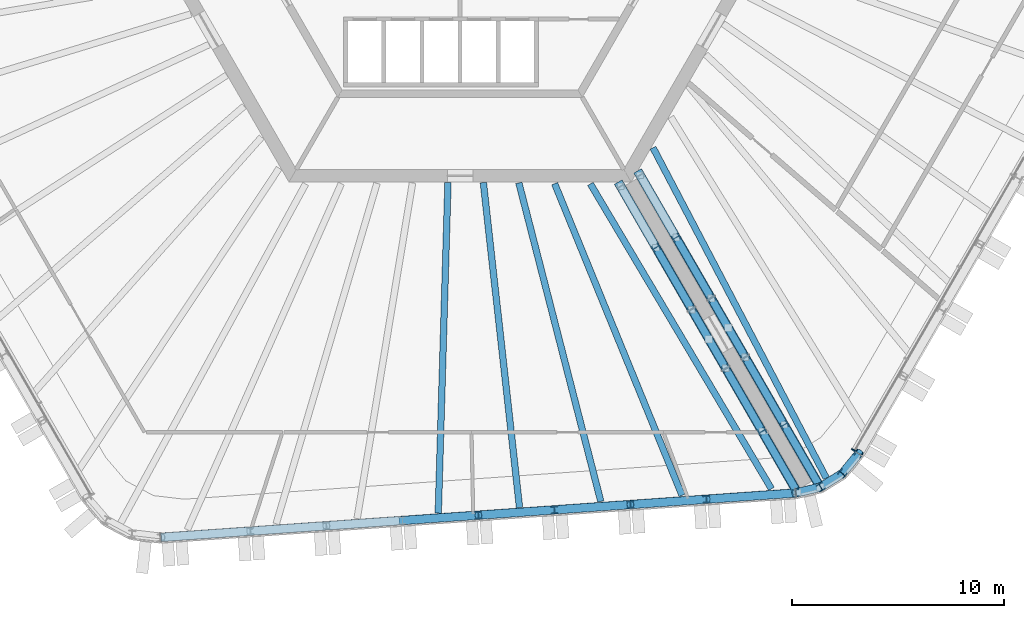
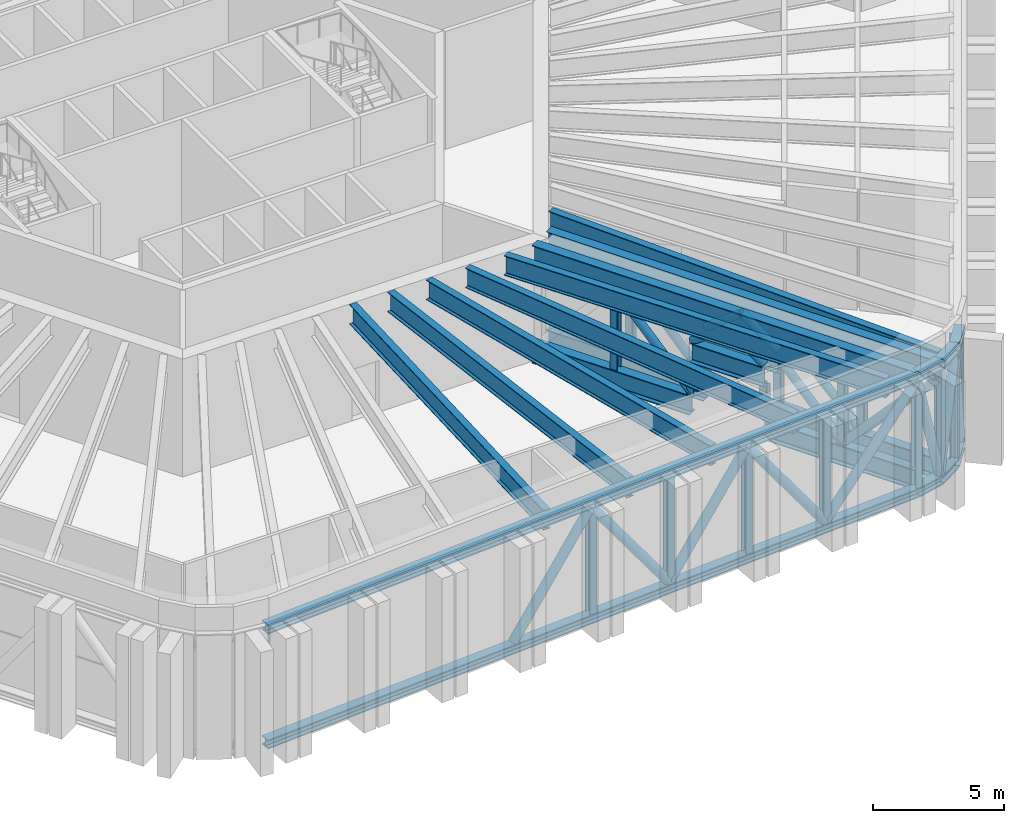
# One storey, part 4 of 27: 51 members, 6 beams, 1 element without a shape of its own.
"""IFC4 building model written with IfcOpenShell, lengths in metres."""

from ifc_helpers import new_model, si_unit, direction, frame, origin, origin_2d, place, context, subcontext, project, spatial, rectangle, hollow_circle, i_section, extrude, material, material_profile, profile_set, type_object, element, aggregate, save


model = new_model("IFC4")

# Units and contexts
model_context = context("Model", 3, precision=1e-05, world=origin(), true_north=direction((0.0, 1.0)))
body_context = subcontext(model_context, "Body", "Model", "MODEL_VIEW")
ifc_project = project(units=[si_unit("LENGTHUNIT", "METRE"), si_unit("AREAUNIT", "SQUARE_METRE"), si_unit("VOLUMEUNIT", "CUBIC_METRE"), si_unit("PLANEANGLEUNIT", "RADIAN"), si_unit("MASSUNIT", "GRAM", prefix="KILO")], contexts=[model_context])

# Site, building, storey
site_placement = place(None, origin())
site = spatial("IfcSite", under=ifc_project, at=site_placement, CompositionType="ELEMENT")
building_placement = place(site_placement, origin())
building = spatial("IfcBuilding", under=site, at=building_placement, Name="Tarnside Tower", CompositionType="ELEMENT")
storey_placement = place(building_placement, frame((0.0, 0.0, 146.699951171875)))
storey = spatial("IfcBuildingStorey", under=building, at=storey_placement, Name="L34", CompositionType="ELEMENT", Elevation=146.699951171875)

# Beams
ifc_material_1 = material(Name="Steel S355", Category="steel")
ifc_material_profile_1 = material_profile(ifc_material_1, i_section(OverallWidth=0.3076171875, OverallDepth=0.926513671875, WebThickness=0.01953125, FlangeThickness=0.031982421875, FilletRadius=0.01904296875, at=origin_2d()), Name="UB 914x305x289")
ifc_profile_set_1 = profile_set([ifc_material_profile_1], Name="Steel S355")
beam_type = type_object("IfcBeamType", Name="Floor beam UB 914x305x289", PredefinedType="BEAM", material=ifc_profile_set_1)
beam_1_placement = place(storey_placement, frame((-1.029052734375, -29.64306640625, 5.036865234375), z_axis=(0.029319181748, 0.999570100384, 0.0), x_axis=(-0.999570100384, 0.029319181748, 0.0)))
element("IfcBeam", 1, at=beam_1_placement, inside=storey, type_object=beam_type, Name="Floor beam F4.04", PredefinedType="BEAM", context=body_context, shape_type="SweptSolid", body=[
    extrude(i_section(OverallWidth=0.3076171875, OverallDepth=0.926513671875, WebThickness=0.01953125, FlangeThickness=0.031982421875, FilletRadius=0.01904296875, at=origin_2d()), origin(), (0.0, 0.0, 1.0), 15.6298828125),
])
beam_2_placement = place(storey_placement, frame((2.810791015625, -29.37451171875, 5.036865234375), z_axis=(-0.110650062308, 0.993859428547, 0.0), x_axis=(-0.993859428547, -0.110650062308, 0.0)))
element("IfcBeam", 2, at=beam_2_placement, inside=storey, type_object=beam_type, Name="Floor beam F4.05", PredefinedType="BEAM", context=body_context, shape_type="SweptSolid", body=[
    extrude(i_section(OverallWidth=0.3076171875, OverallDepth=0.926513671875, WebThickness=0.01953125, FlangeThickness=0.031982421875, FilletRadius=0.01904296875, at=origin_2d()), origin(), (0.0, 0.0, 1.0), 15.449462890625),
])
beam_3_placement = place(storey_placement, frame((6.650146484375, -29.08642578125, 5.036865234375), z_axis=(-0.24915894463, 0.968462606563, 0.0), x_axis=(-0.968462606563, -0.24915894463, 0.0)))
element("IfcBeam", 3, at=beam_3_placement, inside=storey, type_object=beam_type, Name="Floor beam F4.06", PredefinedType="BEAM", context=body_context, shape_type="SweptSolid", body=[
    extrude(i_section(OverallWidth=0.3076171875, OverallDepth=0.926513671875, WebThickness=0.01953125, FlangeThickness=0.031982421875, FilletRadius=0.01904296875, at=origin_2d()), origin(), (0.0, 0.0, 1.0), 15.53759765625),
])
beam_4_placement = place(storey_placement, frame((10.489013671875, -28.80029296875, 5.036865234375), z_axis=(-0.378428478757, 0.925630534536, 0.0), x_axis=(-0.925630534536, -0.378428478757, 0.0)))
element("IfcBeam", 4, at=beam_4_placement, inside=storey, type_object=beam_type, Name="Floor beam F4.07", PredefinedType="BEAM", context=body_context, shape_type="SweptSolid", body=[
    extrude(i_section(OverallWidth=0.3076171875, OverallDepth=0.926513671875, WebThickness=0.01953125, FlangeThickness=0.031982421875, FilletRadius=0.01904296875, at=origin_2d()), origin(), (0.0, 0.0, 1.0), 15.9091796875),
])
beam_5_placement = place(storey_placement, frame((14.711181640625, -28.490478515625, 5.036865234375), z_axis=(-0.510529662692, 0.859860141832, 0.0), x_axis=(-0.859860141832, -0.510529662692, 0.0)))
element("IfcBeam", 5, at=beam_5_placement, inside=storey, type_object=beam_type, Name="Floor beam F4.08", PredefinedType="BEAM", context=body_context, shape_type="SweptSolid", body=[
    extrude(i_section(OverallWidth=0.3076171875, OverallDepth=0.926513671875, WebThickness=0.01953125, FlangeThickness=0.031982421875, FilletRadius=0.01904296875, at=origin_2d()), origin(), (0.0, 0.0, 1.0), 16.752197265625),
])
beam_6_placement = place(storey_placement, frame((17.302001953125, -27.9794921875, 5.036865234375), z_axis=(-0.464577510555, 0.88553245942, 0.0), x_axis=(-0.88553245942, -0.464577510555, 0.0)))
element("IfcBeam", 6, at=beam_6_placement, inside=storey, type_object=beam_type, Name="Floor beam C4", PredefinedType="BEAM", context=body_context, shape_type="SweptSolid", body=[
    extrude(i_section(OverallWidth=0.3076171875, OverallDepth=0.926513671875, WebThickness=0.01953125, FlangeThickness=0.031982421875, FilletRadius=0.01904296875, at=origin_2d()), origin(), (0.0, 0.0, 1.0), 17.6181640625),
])

# Members
ifc_material_2 = material(Name="Steel S460", Category="steel")
ifc_material_profile_2 = material_profile(ifc_material_2, i_section(OverallWidth=0.42041015625, OverallDepth=0.9208984375, WebThickness=0.021484375, FlangeThickness=0.03662109375, FilletRadius=0.024169921875, at=origin_2d()), Name="UB 914x419x388")
ifc_profile_set_2 = profile_set([ifc_material_profile_2], Name="Steel S460")
member_type_1 = type_object("IfcMemberType", Name="Outrigger chord UB 914x419x388", PredefinedType="CHORD", material=ifc_profile_set_2)
member_1_placement = place(storey_placement, frame((8.388916015625, -13.4697265625, 5.03955078125), z_axis=(0.500005339912, -0.866022320763, 0.0), x_axis=(0.866022320763, 0.500005339912, 0.0)))
element("IfcMember", 7, at=member_1_placement, inside=storey, type_object=member_type_1, Name="Outrigger truss top chord OR3A L34", PredefinedType="CHORD", context=body_context, shape_type="SweptSolid", body=[
    extrude(i_section(OverallWidth=0.42041015625, OverallDepth=0.9208984375, WebThickness=0.021484375, FlangeThickness=0.03662109375, FilletRadius=0.024169921875, at=origin_2d()), origin(), (0.0, 0.0, 1.0), 17.257080078125),
])
member_2_placement = place(storey_placement, frame((8.388916015625, -13.4697265625, 0.46044921875), z_axis=(0.500025096756, -0.866010913681, 0.0), x_axis=(0.866010913681, 0.500025096756, 0.0)))
element("IfcMember", 8, at=member_2_placement, inside=storey, type_object=member_type_1, Name="Outrigger truss bottom chord OR3A L34", PredefinedType="CHORD", context=body_context, shape_type="SweptSolid", body=[
    extrude(i_section(OverallWidth=0.42041015625, OverallDepth=0.9208984375, WebThickness=0.021484375, FlangeThickness=0.03662109375, FilletRadius=0.024169921875, at=origin_2d()), origin(), (0.0, 0.0, 1.0), 6.959716796875),
])
member_3_placement = place(storey_placement, frame((13.469970703125, -22.27001953125, 0.46044921875), z_axis=(0.499991511581, -0.86603030452, 0.0), x_axis=(0.86603030452, 0.499991511581, 0.0)))
element("IfcMember", 9, at=member_3_placement, inside=storey, type_object=member_type_1, Name="Outrigger truss bottom chord OR3A L34", PredefinedType="CHORD", context=body_context, shape_type="SweptSolid", body=[
    extrude(i_section(OverallWidth=0.42041015625, OverallDepth=0.9208984375, WebThickness=0.021484375, FlangeThickness=0.03662109375, FilletRadius=0.024169921875, at=origin_2d()), origin(), (0.0, 0.0, 1.0), 7.09521484375),
])
member_4_placement = place(storey_placement, frame((11.868896484375, -19.496826171875, 2.91064453125), z_axis=(0.499993040581, -0.866029421769, 0.0), x_axis=(0.866029421769, 0.499993040581, 0.0)))
element("IfcMember", 10, at=member_4_placement, inside=storey, type_object=member_type_1, Name="Outrigger truss lintel OR3A L34", PredefinedType="CHORD", context=body_context, shape_type="SweptSolid", body=[
    extrude(i_section(OverallWidth=0.42041015625, OverallDepth=0.9208984375, WebThickness=0.021484375, FlangeThickness=0.03662109375, FilletRadius=0.024169921875, at=origin_2d()), origin(), (0.0, 0.0, 1.0), 3.2021484375),
])
member_5_placement = place(storey_placement, frame((7.470703125, -14.0, 5.03955078125), z_axis=(0.499995672751, -0.866027902108, 0.0), x_axis=(0.866027902108, 0.499995672751, 0.0)))
element("IfcMember", 11, at=member_5_placement, inside=storey, type_object=member_type_1, Name="Outrigger truss top chord OR3B L34", PredefinedType="CHORD", context=body_context, shape_type="SweptSolid", body=[
    extrude(i_section(OverallWidth=0.42041015625, OverallDepth=0.9208984375, WebThickness=0.021484375, FlangeThickness=0.03662109375, FilletRadius=0.024169921875, at=origin_2d()), origin(), (0.0, 0.0, 1.0), 16.939697265625),
])
member_6_placement = place(storey_placement, frame((7.470703125, -14.0, 0.46044921875), z_axis=(0.499998787219, -0.866026103983, 0.0), x_axis=(0.866026103983, 0.499998787219, 0.0)))
element("IfcMember", 12, at=member_6_placement, inside=storey, type_object=member_type_1, Name="Outrigger truss bottom chord OR3B L34", PredefinedType="CHORD", context=body_context, shape_type="SweptSolid", body=[
    extrude(i_section(OverallWidth=0.42041015625, OverallDepth=0.9208984375, WebThickness=0.021484375, FlangeThickness=0.03662109375, FilletRadius=0.024169921875, at=origin_2d()), origin(), (0.0, 0.0, 1.0), 6.95947265625),
])
member_7_placement = place(storey_placement, frame((12.551513671875, -22.80029296875, 0.46044921875), z_axis=(0.4999937184, -0.866029030437, 0.0), x_axis=(0.866029030437, 0.4999937184, 0.0)))
element("IfcMember", 13, at=member_7_placement, inside=storey, type_object=member_type_1, Name="Outrigger truss bottom chord OR3B L34", PredefinedType="CHORD", context=body_context, shape_type="SweptSolid", body=[
    extrude(i_section(OverallWidth=0.42041015625, OverallDepth=0.9208984375, WebThickness=0.021484375, FlangeThickness=0.03662109375, FilletRadius=0.024169921875, at=origin_2d()), origin(), (0.0, 0.0, 1.0), 6.77783203125),
])
member_8_placement = place(storey_placement, frame((10.950439453125, -20.027099609375, 2.91064453125), z_axis=(0.499993040581, -0.866029421769, 0.0), x_axis=(0.866029421769, 0.499993040581, 0.0)))
element("IfcMember", 14, at=member_8_placement, inside=storey, type_object=member_type_1, Name="Outrigger truss lintel OR3B L34", PredefinedType="CHORD", context=body_context, shape_type="SweptSolid", body=[
    extrude(i_section(OverallWidth=0.42041015625, OverallDepth=0.9208984375, WebThickness=0.021484375, FlangeThickness=0.03662109375, FilletRadius=0.024169921875, at=origin_2d()), origin(), (0.0, 0.0, 1.0), 3.2021484375),
])
ifc_material_profile_3 = material_profile(ifc_material_1, hollow_circle(Radius=0.177734375, WallThickness=0.01611328125, at=origin_2d()), Name="CHS 355.6x16")
ifc_profile_set_3 = profile_set([ifc_material_profile_3], Name="Steel S355")
member_type_2 = type_object("IfcMemberType", Name="Outrigger diagonal CHS 355.6x16", PredefinedType="BRACE", material=ifc_profile_set_3)
member_9_placement = place(storey_placement, frame((10.206787109375, -16.618408203125, 4.5791015625), z_axis=(0.33628744383, -0.58237793225, -0.74009911441), x_axis=(0.865992313895, 0.50005730899, 0.0)))
element("IfcMember", 15, at=member_9_placement, inside=storey, type_object=member_type_2, Name="Outrigger truss diagonal OR3A 2", PredefinedType="BRACE", context=body_context, shape_type="SweptSolid", body=[
    extrude(hollow_circle(Radius=0.177734375, WallThickness=0.01611328125, at=origin_2d()), origin(), (0.0, 0.0, 1.0), 4.942626953125),
])
member_10_placement = place(storey_placement, frame((11.868896484375, -19.496826171875, 3.37109375), z_axis=(0.399116202189, -0.691363229166, 0.602265010196), x_axis=(0.866048479775, 0.499960029081, 0.0)))
element("IfcMember", 16, at=member_10_placement, inside=storey, type_object=member_type_2, Name="Outrigger truss diagonal OR3A 3", PredefinedType="BRACE", context=body_context, shape_type="SweptSolid", body=[
    extrude(hollow_circle(Radius=0.177734375, WallThickness=0.01611328125, at=origin_2d()), origin(), (0.0, 0.0, 1.0), 2.005859375),
])
member_11_placement = place(storey_placement, frame((13.469970703125, -22.27001953125, 3.37109375), z_axis=(-0.399149789882, 0.691299681835, 0.602315693911), x_axis=(-0.866010359988, -0.500026055714, 0.0)))
element("IfcMember", 17, at=member_11_placement, inside=storey, type_object=member_type_2, Name="Outrigger truss diagonal OR3A 4", PredefinedType="BRACE", context=body_context, shape_type="SweptSolid", body=[
    extrude(hollow_circle(Radius=0.177734375, WallThickness=0.01611328125, at=origin_2d()), origin(), (0.0, 0.0, 1.0), 2.005615234375),
])
member_12_placement = place(storey_placement, frame((13.469970703125, -22.27001953125, 4.5791015625), z_axis=(0.355079747184, -0.615058077364, -0.704004214908), x_axis=(0.866040157966, 0.499974444137, 0.0)))
element("IfcMember", 18, at=member_12_placement, inside=storey, type_object=member_type_2, Name="Outrigger truss diagonal OR3A 5", PredefinedType="BRACE", context=body_context, shape_type="SweptSolid", body=[
    extrude(hollow_circle(Radius=0.177734375, WallThickness=0.01611328125, at=origin_2d()), origin(), (0.0, 0.0, 1.0), 5.196044921875),
])
member_13_placement = place(storey_placement, frame((15.31494140625, -25.4658203125, 0.921142578125), z_axis=(0.340690321462, -0.590077200019, 0.731941939555), x_axis=(0.866019626224, 0.500010006895, 0.0)))
element("IfcMember", 19, at=member_13_placement, inside=storey, type_object=member_type_2, Name="Outrigger truss diagonal OR3A 6", PredefinedType="BRACE", context=body_context, shape_type="SweptSolid", body=[
    extrude(hollow_circle(Radius=0.177734375, WallThickness=0.01611328125, at=origin_2d()), origin(), (0.0, 0.0, 1.0), 4.99755859375),
])
member_14_placement = place(storey_placement, frame((9.256591796875, -17.093505859375, 4.5791015625), z_axis=(0.339751089553, -0.588418721831, -0.733711527064), x_axis=(0.866007952957, 0.500030224502, 0.0)))
element("IfcMember", 20, at=member_14_placement, inside=storey, type_object=member_type_2, Name="Outrigger truss diagonal OR3B 2", PredefinedType="BRACE", context=body_context, shape_type="SweptSolid", body=[
    extrude(hollow_circle(Radius=0.177734375, WallThickness=0.01611328125, at=origin_2d()), origin(), (0.0, 0.0, 1.0), 4.985595703125),
])
member_15_placement = place(storey_placement, frame((10.950439453125, -20.027099609375, 3.37109375), z_axis=(0.399116202189, -0.691363229166, 0.602265010196), x_axis=(0.866048479775, 0.499960029081, 0.0)))
element("IfcMember", 21, at=member_15_placement, inside=storey, type_object=member_type_2, Name="Outrigger truss diagonal OR3B 3", PredefinedType="BRACE", context=body_context, shape_type="SweptSolid", body=[
    extrude(hollow_circle(Radius=0.177734375, WallThickness=0.01611328125, at=origin_2d()), origin(), (0.0, 0.0, 1.0), 2.005859375),
])
member_16_placement = place(storey_placement, frame((12.551513671875, -22.80029296875, 3.37109375), z_axis=(-0.399149789882, 0.691299681835, 0.602315693911), x_axis=(-0.866010359988, -0.500026055714, 0.0)))
element("IfcMember", 22, at=member_16_placement, inside=storey, type_object=member_type_2, Name="Outrigger truss diagonal OR3B 4", PredefinedType="BRACE", context=body_context, shape_type="SweptSolid", body=[
    extrude(hollow_circle(Radius=0.177734375, WallThickness=0.01611328125, at=origin_2d()), origin(), (0.0, 0.0, 1.0), 2.005615234375),
])
member_17_placement = place(storey_placement, frame((12.551513671875, -22.80029296875, 4.5791015625), z_axis=(0.342329952421, -0.592911391234, -0.728880158751), x_axis=(0.866017560406, 0.500013584885, 0.0)))
element("IfcMember", 23, at=member_17_placement, inside=storey, type_object=member_type_2, Name="Outrigger truss diagonal OR3B 5", PredefinedType="BRACE", context=body_context, shape_type="SweptSolid", body=[
    extrude(hollow_circle(Radius=0.177734375, WallThickness=0.01611328125, at=origin_2d()), origin(), (0.0, 0.0, 1.0), 5.0185546875),
])
member_18_placement = place(storey_placement, frame((14.26953125, -25.77587890625, 0.921142578125), z_axis=(0.337232211908, -0.584144925799, 0.738274434689), x_axis=(0.866040822497, 0.499973293055, 0.0)))
element("IfcMember", 24, at=member_18_placement, inside=storey, type_object=member_type_2, Name="Outrigger truss diagonal OR3B 6", PredefinedType="BRACE", context=body_context, shape_type="SweptSolid", body=[
    extrude(hollow_circle(Radius=0.177734375, WallThickness=0.01611328125, at=origin_2d()), origin(), (0.0, 0.0, 1.0), 4.954833984375),
])
ifc_material_profile_4 = material_profile(ifc_material_1, i_section(OverallWidth=0.314453125, OverallDepth=0.33984375, WebThickness=0.01904296875, FlangeThickness=0.031494140625, FilletRadius=0.01513671875, at=origin_2d()), Name="UC 305x305x198")
ifc_profile_set_4 = profile_set([ifc_material_profile_4], Name="Steel S355")
member_type_3 = type_object("IfcMemberType", Name="Outrigger post UC 305x305x198", PredefinedType="POST", material=ifc_profile_set_4)
member_19_placement = place(storey_placement, frame((10.206787109375, -16.618408203125, 0.921142578125), z_axis=(0.0, 0.0, 1.0), x_axis=(0.5, -0.866025403784, 0.0)))
element("IfcMember", 25, at=member_19_placement, inside=storey, type_object=member_type_3, Name="Outrigger truss post OR3A 2", PredefinedType="POST", context=body_context, shape_type="SweptSolid", body=[
    extrude(i_section(OverallWidth=0.314453125, OverallDepth=0.33984375, WebThickness=0.01904296875, FlangeThickness=0.031494140625, FilletRadius=0.01513671875, at=origin_2d()), origin(), (0.0, 0.0, 1.0), 3.657958984375),
])
for number, where, z_axis, x_axis, name in (
    (26, (11.868896484375, -19.496826171875, 0.921142578125), (0.0, 0.0, 1.0), (0.5, -0.866025403784, 0.0), "Outrigger truss post OR3A 3"),
    (27, (13.469970703125, -22.27001953125, 0.921142578125), (0.0, 0.0, 1.0), (0.5, -0.866025403784, 0.0), "Outrigger truss post OR3A 4"),
):
    element("IfcMember", number, at=place(storey_placement, frame(where, z_axis=z_axis, x_axis=x_axis)), inside=storey, type_object=member_type_3, Name=name, PredefinedType="POST", context=body_context, shape_type="SweptSolid", body=[
        extrude(i_section(OverallWidth=0.314453125, OverallDepth=0.33984375, WebThickness=0.01904296875, FlangeThickness=0.031494140625, FilletRadius=0.01513671875, at=origin_2d()), origin(), (0.0, 0.0, 1.0), 1.52880859375),
    ])
for number, where, z_axis, x_axis, name in (
    (28, (15.31494140625, -25.4658203125, 0.921142578125), (0.0, 0.0, 1.0), (0.5, -0.866025403784, 0.0), "Outrigger truss post OR3A 5"),
    (29, (9.256591796875, -17.093505859375, 0.921142578125), (0.0, 0.0, 1.0), (0.5, -0.866025403784, 0.0), "Outrigger truss post OR3B 2"),
):
    element("IfcMember", number, at=place(storey_placement, frame(where, z_axis=z_axis, x_axis=x_axis)), inside=storey, type_object=member_type_3, Name=name, PredefinedType="POST", context=body_context, shape_type="SweptSolid", body=[
        extrude(i_section(OverallWidth=0.314453125, OverallDepth=0.33984375, WebThickness=0.01904296875, FlangeThickness=0.031494140625, FilletRadius=0.01513671875, at=origin_2d()), origin(), (0.0, 0.0, 1.0), 3.657958984375),
    ])
for number, where, z_axis, x_axis, name in (
    (30, (10.950439453125, -20.027099609375, 0.921142578125), (0.0, 0.0, 1.0), (0.5, -0.866025403784, 0.0), "Outrigger truss post OR3B 3"),
    (31, (12.551513671875, -22.80029296875, 0.921142578125), (0.0, 0.0, 1.0), (0.5, -0.866025403784, 0.0), "Outrigger truss post OR3B 4"),
):
    element("IfcMember", number, at=place(storey_placement, frame(where, z_axis=z_axis, x_axis=x_axis)), inside=storey, type_object=member_type_3, Name=name, PredefinedType="POST", context=body_context, shape_type="SweptSolid", body=[
        extrude(i_section(OverallWidth=0.314453125, OverallDepth=0.33984375, WebThickness=0.01904296875, FlangeThickness=0.031494140625, FilletRadius=0.01513671875, at=origin_2d()), origin(), (0.0, 0.0, 1.0), 1.52880859375),
    ])
member_20_placement = place(storey_placement, frame((14.26953125, -25.77587890625, 0.921142578125), z_axis=(0.0, 0.0, 1.0), x_axis=(0.5, -0.866025403784, 0.0)))
element("IfcMember", 32, at=member_20_placement, inside=storey, type_object=member_type_3, Name="Outrigger truss post OR3B 5", PredefinedType="POST", context=body_context, shape_type="SweptSolid", body=[
    extrude(i_section(OverallWidth=0.314453125, OverallDepth=0.33984375, WebThickness=0.01904296875, FlangeThickness=0.031494140625, FilletRadius=0.01513671875, at=origin_2d()), origin(), (0.0, 0.0, 1.0), 3.657958984375),
])

# Curtain wall, member
ifc_material_3 = material(Name="Sky lobby glazing wall", Category="glass")
curtain_wall_type = type_object("IfcCurtainWallType", Name="Sky lobby glazing wall", PredefinedType="NOTDEFINED", material=ifc_material_3)
curtain_wall_placement = place(storey_placement, origin())
curtain_wall = element("IfcCurtainWall", 33, at=curtain_wall_placement, inside=storey, type_object=curtain_wall_type, Name="Sky lobby glazing L34 F5", PredefinedType="NOTDEFINED")
ifc_material_4 = material(Name="Aluminium alloy 6063", Category="aluminium")
ifc_material_profile_5 = material_profile(ifc_material_4, rectangle(XDim=0.199951171875, YDim=0.06005859375, at=origin_2d()), Name="Sky lobby glazing mullion 60 x 200")
ifc_profile_set_5 = profile_set([ifc_material_profile_5], Name="Aluminium alloy 6063")
member_type_4 = type_object("IfcMemberType", Name="Sky lobby glazing mullion 60 x 200", PredefinedType="MULLION", material=ifc_profile_set_5)
member_21_placement = place(storey_placement, frame((18.580322265625, -26.65576171875, 0.0), z_axis=(0.0, 0.0, 1.0), x_axis=(-0.866025403793, 0.499999999985, 0.0)))
member_21 = element("IfcMember", 34, at=member_21_placement, type_object=member_type_4, Name="CW4 mullion 1", PredefinedType="MULLION", context=body_context, shape_type="SweptSolid", body=[
    extrude(rectangle(XDim=0.199951171875, YDim=0.06005859375, at=origin_2d()), origin(), (0.0, 0.0, 1.0), 5.0634765625),
])
aggregate(curtain_wall, [member_21])

# Members
ifc_material_profile_6 = material_profile(ifc_material_1, i_section(OverallWidth=0.406982421875, OverallDepth=0.4189453125, WebThickness=0.030517578125, FlangeThickness=0.04931640625, FilletRadius=0.01513671875, at=origin_2d()), Name="UC 356x406x393")
ifc_profile_set_6 = profile_set([ifc_material_profile_6], Name="Steel S355")
member_type_5 = type_object("IfcMemberType", Name="Truss chord UC 356x406x393", PredefinedType="CHORD", material=ifc_profile_set_6)
member_22_placement = place(storey_placement, frame((-14.133544921875, -30.785888671875, -0.09033203125), z_axis=(0.997564037441, 0.069756657061, 0.0), x_axis=(-0.069756657061, 0.997564037441, 0.0)))
element("IfcMember", 35, at=member_22_placement, inside=storey, type_object=member_type_5, Name="Belt truss bottom chord L34 run", PredefinedType="CHORD", context=body_context, shape_type="SweptSolid", body=[
    extrude(i_section(OverallWidth=0.406982421875, OverallDepth=0.4189453125, WebThickness=0.030517578125, FlangeThickness=0.04931640625, FilletRadius=0.01513671875, at=origin_2d()), origin(), (0.0, 0.0, 1.0), 30.071044921875),
])
member_23_placement = place(storey_placement, frame((15.8642578125, -28.688232421875, -0.09033203125), z_axis=(0.973052849661, 0.230582201758, 0.0), x_axis=(-0.230582201758, 0.973052849661, 0.0)))
element("IfcMember", 36, at=member_23_placement, inside=storey, type_object=member_type_5, Name="Belt truss bottom chord L34 corner4.1", PredefinedType="CHORD", context=body_context, shape_type="SweptSolid", body=[
    extrude(i_section(OverallWidth=0.406982421875, OverallDepth=0.4189453125, WebThickness=0.030517578125, FlangeThickness=0.04931640625, FilletRadius=0.01513671875, at=origin_2d()), origin(), (0.0, 0.0, 1.0), 1.2080078125),
])
member_24_placement = place(storey_placement, frame((17.039794921875, -28.40966796875, -0.09033203125), z_axis=(0.848066392546, 0.529889982765, 0.0), x_axis=(-0.529889982765, 0.848066392546, 0.0)))
element("IfcMember", 37, at=member_24_placement, inside=storey, type_object=member_type_5, Name="Belt truss bottom chord L34 corner4.2", PredefinedType="CHORD", context=body_context, shape_type="SweptSolid", body=[
    extrude(i_section(OverallWidth=0.406982421875, OverallDepth=0.4189453125, WebThickness=0.030517578125, FlangeThickness=0.04931640625, FilletRadius=0.01513671875, at=origin_2d()), origin(), (0.0, 0.0, 1.0), 1.20849609375),
])
member_25_placement = place(storey_placement, frame((18.064697265625, -27.769287109375, -0.09033203125), z_axis=(0.633721857241, 0.773560991555, 0.0), x_axis=(-0.773560991555, 0.633721857241, 0.0)))
element("IfcMember", 38, at=member_25_placement, inside=storey, type_object=member_type_5, Name="Belt truss bottom chord L34 corner4.3", PredefinedType="CHORD", context=body_context, shape_type="SweptSolid", body=[
    extrude(i_section(OverallWidth=0.406982421875, OverallDepth=0.4189453125, WebThickness=0.030517578125, FlangeThickness=0.04931640625, FilletRadius=0.01513671875, at=origin_2d()), origin(), (0.0, 0.0, 1.0), 1.208251953125),
])
ifc_material_profile_7 = material_profile(ifc_material_2, i_section(OverallWidth=0.412109375, OverallDepth=0.4365234375, WebThickness=0.035888671875, FlangeThickness=0.05810546875, FilletRadius=0.01513671875, at=origin_2d()), Name="UC 356x406x467")
ifc_profile_set_7 = profile_set([ifc_material_profile_7], Name="Steel S460")
member_type_6 = type_object("IfcMemberType", Name="Truss chord UC 356x406x467", PredefinedType="CHORD", material=ifc_profile_set_7)
member_26_placement = place(storey_placement, frame((-14.133544921875, -30.785888671875, 5.28173828125), z_axis=(0.997564037441, 0.069756657061, 0.0), x_axis=(-0.069756657061, 0.997564037441, 0.0)))
element("IfcMember", 39, at=member_26_placement, inside=storey, type_object=member_type_6, Name="Belt truss top chord L34 run", PredefinedType="CHORD", context=body_context, shape_type="SweptSolid", body=[
    extrude(i_section(OverallWidth=0.412109375, OverallDepth=0.4365234375, WebThickness=0.035888671875, FlangeThickness=0.05810546875, FilletRadius=0.01513671875, at=origin_2d()), origin(), (0.0, 0.0, 1.0), 30.071044921875),
])
member_27_placement = place(storey_placement, frame((15.8642578125, -28.688232421875, 5.28173828125), z_axis=(0.973052849661, 0.230582201758, 0.0), x_axis=(-0.230582201758, 0.973052849661, 0.0)))
element("IfcMember", 40, at=member_27_placement, inside=storey, type_object=member_type_6, Name="Belt truss top chord L34 corner4.1", PredefinedType="CHORD", context=body_context, shape_type="SweptSolid", body=[
    extrude(i_section(OverallWidth=0.412109375, OverallDepth=0.4365234375, WebThickness=0.035888671875, FlangeThickness=0.05810546875, FilletRadius=0.01513671875, at=origin_2d()), origin(), (0.0, 0.0, 1.0), 1.2080078125),
])
member_28_placement = place(storey_placement, frame((17.039794921875, -28.40966796875, 5.28173828125), z_axis=(0.848066392546, 0.529889982765, 0.0), x_axis=(-0.529889982765, 0.848066392546, 0.0)))
element("IfcMember", 41, at=member_28_placement, inside=storey, type_object=member_type_6, Name="Belt truss top chord L34 corner4.2", PredefinedType="CHORD", context=body_context, shape_type="SweptSolid", body=[
    extrude(i_section(OverallWidth=0.412109375, OverallDepth=0.4365234375, WebThickness=0.035888671875, FlangeThickness=0.05810546875, FilletRadius=0.01513671875, at=origin_2d()), origin(), (0.0, 0.0, 1.0), 1.20849609375),
])
member_29_placement = place(storey_placement, frame((18.064697265625, -27.769287109375, 5.28173828125), z_axis=(0.633721857241, 0.773560991555, 0.0), x_axis=(-0.773560991555, 0.633721857241, 0.0)))
element("IfcMember", 42, at=member_29_placement, inside=storey, type_object=member_type_6, Name="Belt truss top chord L34 corner4.3", PredefinedType="CHORD", context=body_context, shape_type="SweptSolid", body=[
    extrude(i_section(OverallWidth=0.412109375, OverallDepth=0.4365234375, WebThickness=0.035888671875, FlangeThickness=0.05810546875, FilletRadius=0.01513671875, at=origin_2d()), origin(), (0.0, 0.0, 1.0), 1.208251953125),
])
ifc_material_profile_8 = material_profile(ifc_material_1, hollow_circle(Radius=0.203125, WallThickness=0.01611328125, at=origin_2d()), Name="CHS 406.4x16")
ifc_profile_set_8 = profile_set([ifc_material_profile_8], Name="Steel S355")
member_type_7 = type_object("IfcMemberType", Name="Truss diagonal CHS 406.4x16", PredefinedType="BRACE", material=ifc_profile_set_8)
member_30_placement = place(storey_placement, frame((-2.725830078125, -29.98828125, 0.119140625), z_axis=(0.587186274395, 0.041075096965, 0.808409002654), x_axis=(-0.069781888421, 0.997562272767, 0.0)))
element("IfcMember", 43, at=member_30_placement, inside=storey, type_object=member_type_7, Name="Belt truss diagonal L34 37", PredefinedType="BRACE", context=body_context, shape_type="SweptSolid", body=[
    extrude(hollow_circle(Radius=0.203125, WallThickness=0.01611328125, at=origin_2d()), origin(), (0.0, 0.0, 1.0), 6.1162109375),
])
member_31_placement = place(storey_placement, frame((0.865478515625, -29.737060546875, 5.0634765625), z_axis=(0.587161081342, 0.041036208554, -0.808429275908), x_axis=(-0.069719119461, 0.997566661623, 0.0)))
element("IfcMember", 44, at=member_31_placement, inside=storey, type_object=member_type_7, Name="Belt truss diagonal L34 38", PredefinedType="BRACE", context=body_context, shape_type="SweptSolid", body=[
    extrude(hollow_circle(Radius=0.203125, WallThickness=0.01611328125, at=origin_2d()), origin(), (0.0, 0.0, 1.0), 6.115966796875),
])
member_32_placement = place(storey_placement, frame((4.45654296875, -29.486083984375, 0.119140625), z_axis=(0.587186274395, 0.041075096965, 0.808409002654), x_axis=(-0.069781888421, 0.997562272767, 0.0)))
element("IfcMember", 45, at=member_32_placement, inside=storey, type_object=member_type_7, Name="Belt truss diagonal L34 39", PredefinedType="BRACE", context=body_context, shape_type="SweptSolid", body=[
    extrude(hollow_circle(Radius=0.203125, WallThickness=0.01611328125, at=origin_2d()), origin(), (0.0, 0.0, 1.0), 6.1162109375),
])
member_33_placement = place(storey_placement, frame((8.0478515625, -29.23486328125, 5.0634765625), z_axis=(0.587160119046, 0.041076059725, -0.808427950976), x_axis=(-0.06978660948, 0.997561942506, 0.0)))
element("IfcMember", 46, at=member_33_placement, inside=storey, type_object=member_type_7, Name="Belt truss diagonal L34 40", PredefinedType="BRACE", context=body_context, shape_type="SweptSolid", body=[
    extrude(hollow_circle(Radius=0.203125, WallThickness=0.01611328125, at=origin_2d()), origin(), (0.0, 0.0, 1.0), 6.115966796875),
])
member_34_placement = place(storey_placement, frame((11.638916015625, -28.983642578125, 0.119140625), z_axis=(0.648999384413, 0.045374083038, 0.759434652633), x_axis=(-0.069743663524, 0.997564945955, 0.0)))
element("IfcMember", 47, at=member_34_placement, inside=storey, type_object=member_type_7, Name="Belt truss diagonal L34 41", PredefinedType="BRACE", context=body_context, shape_type="SweptSolid", body=[
    extrude(hollow_circle(Radius=0.203125, WallThickness=0.01611328125, at=origin_2d()), origin(), (0.0, 0.0, 1.0), 6.510498046875),
])
for number, where, z_axis, x_axis, name in (
    (48, (15.8642578125, -28.688232421875, 5.0634765625), (0.230959928476, 0.054730068202, -0.971422735514), (-0.230582201758, 0.973052849661, 0.0), "Belt truss diagonal L34 42"),
    (49, (17.039794921875, -28.40966796875, 0.119140625), (0.201360449711, 0.125814306715, 0.971403484407), (-0.529889982765, 0.848066392546, 0.0), "Belt truss diagonal L34 43"),
    (50, (18.064697265625, -27.769287109375, 5.0634765625), (0.150423404136, 0.183616323672, -0.971420529518), (-0.773560991555, 0.633721857241, 0.0), "Belt truss diagonal L34 44"),
):
    element("IfcMember", number, at=place(storey_placement, frame(where, z_axis=z_axis, x_axis=x_axis)), inside=storey, type_object=member_type_7, Name=name, PredefinedType="BRACE", context=body_context, shape_type="SweptSolid", body=[
        extrude(hollow_circle(Radius=0.203125, WallThickness=0.01611328125, at=origin_2d()), origin(), (0.0, 0.0, 1.0), 5.08984375),
    ])
ifc_material_profile_9 = material_profile(ifc_material_1, i_section(OverallWidth=0.314453125, OverallDepth=0.33984375, WebThickness=0.01904296875, FlangeThickness=0.031494140625, FilletRadius=0.01513671875, at=origin_2d()), Name="UC 305x305x198")
ifc_profile_set_9 = profile_set([ifc_material_profile_9], Name="Steel S355")
member_type_8 = type_object("IfcMemberType", Name="Truss post UC 305x305x198", PredefinedType="POST", material=ifc_profile_set_9)
for number, where, z_axis, x_axis, name in (
    (51, (0.865478515625, -29.737060546875, 0.119140625), (0.0, 0.0, 1.0), (0.99756405026, 0.069756473744, 0.0), "Belt truss post L34 38"),
    (52, (4.45654296875, -29.486083984375, 0.119140625), (0.0, 0.0, 1.0), (0.99756405026, 0.069756473744, 0.0), "Belt truss post L34 39"),
    (53, (8.0478515625, -29.23486328125, 0.119140625), (0.0, 0.0, 1.0), (0.99756405026, 0.069756473744, 0.0), "Belt truss post L34 40"),
    (54, (11.638916015625, -28.983642578125, 0.119140625), (0.0, 0.0, 1.0), (0.99756405026, 0.069756473744, 0.0), "Belt truss post L34 41"),
    (55, (15.8642578125, -28.688232421875, 0.119140625), (0.0, 0.0, 1.0), (0.99756405026, 0.069756473744, 0.0), "Belt truss post L34 42"),
    (56, (17.039794921875, -28.40966796875, 0.119140625), (0.0, 0.0, 1.0), (0.848048096156, 0.529919264233, 0.0), "Belt truss post L34 43"),
    (57, (18.064697265625, -27.769287109375, 0.119140625), (0.0, 0.0, 1.0), (0.633830967394, 0.773471592738, 0.0), "Belt truss post L34 44"),
    (58, (18.830322265625, -26.834716796875, 0.119140625), (0.0, 0.0, 1.0), (0.5, 0.866025403784, 0.0), "Belt truss post L34 45"),
):
    element("IfcMember", number, at=place(storey_placement, frame(where, z_axis=z_axis, x_axis=x_axis)), inside=storey, type_object=member_type_8, Name=name, PredefinedType="POST", context=body_context, shape_type="SweptSolid", body=[
        extrude(i_section(OverallWidth=0.314453125, OverallDepth=0.33984375, WebThickness=0.01904296875, FlangeThickness=0.031494140625, FilletRadius=0.01513671875, at=origin_2d()), origin(), (0.0, 0.0, 1.0), 4.9443359375),
    ])

save(model, "model.ifc")
